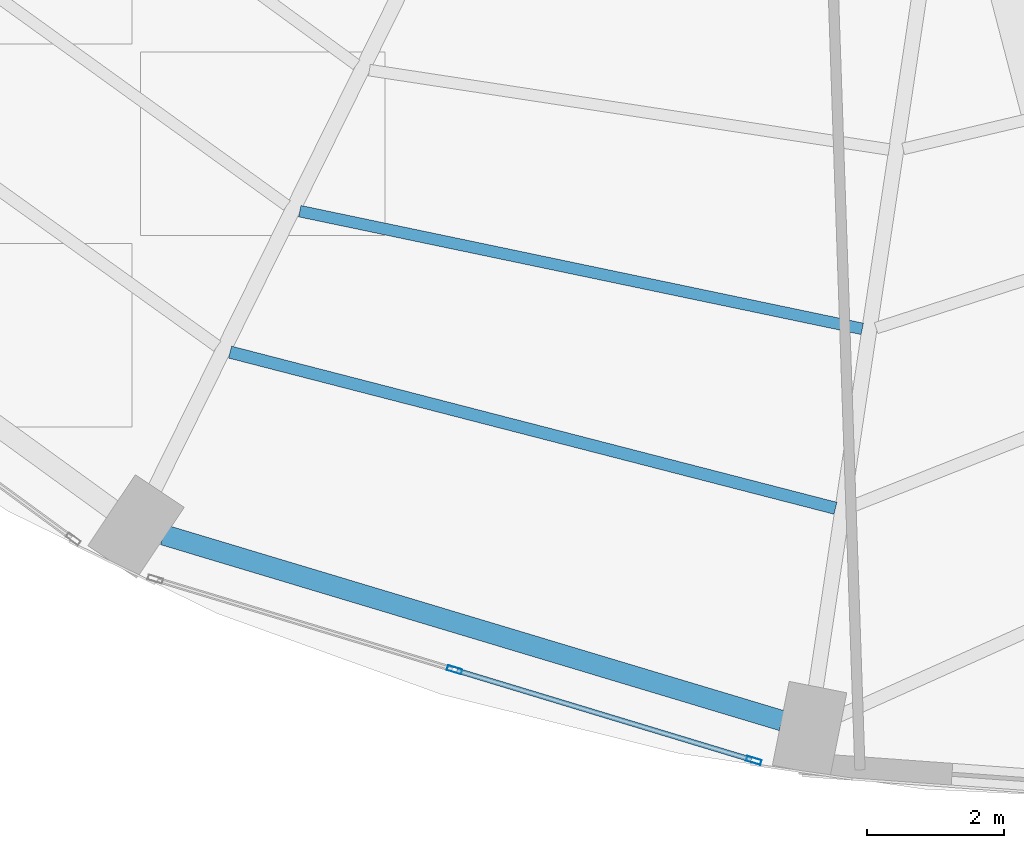
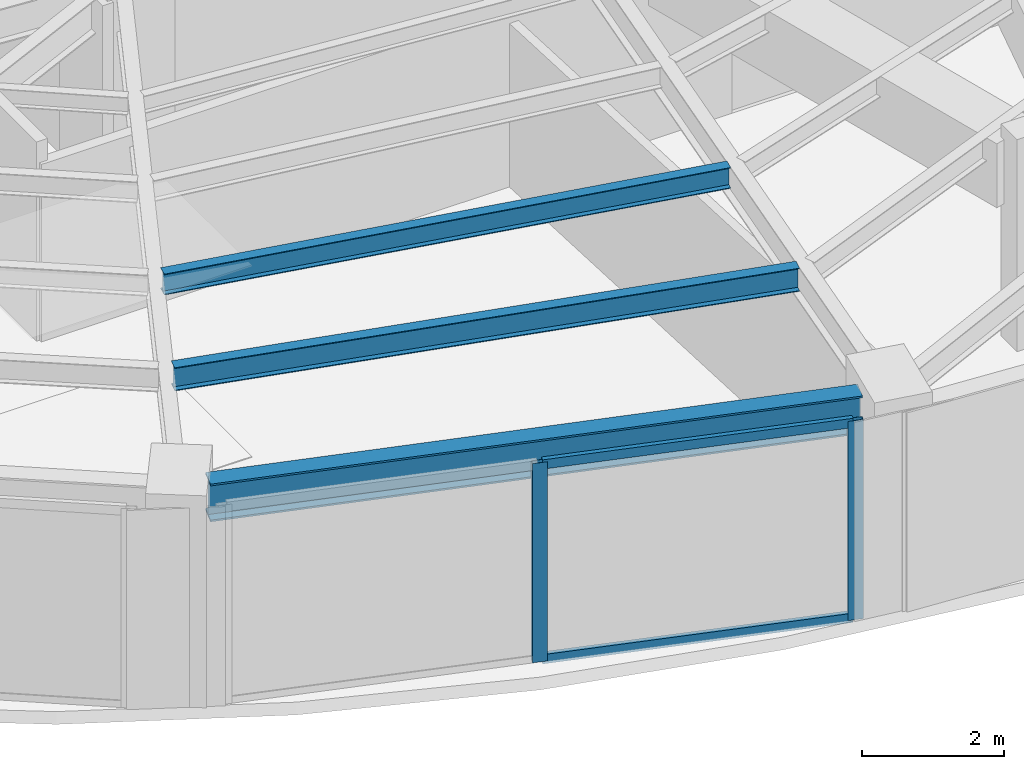
# One storey, part 5 of 24: 4 members, 3 beams, 1 element without a shape of its own.
"""IFC4 building model written with IfcOpenShell, lengths in metres."""

from ifc_helpers import new_model, si_unit, direction, frame, origin, origin_2d, place, context, subcontext, project, spatial, hollow_rectangle, i_section, extrude, material, layer, layer_set, material_profile, profile_set, type_object, element, aggregate, save


model = new_model("IFC4")

# Units and contexts
model_context = context("Model", 3, precision=1e-05, world=origin(), true_north=direction((0.0, 1.0)))
body_context = subcontext(model_context, "Body", "Model", "MODEL_VIEW")
ifc_project = project(units=[si_unit("LENGTHUNIT", "METRE"), si_unit("AREAUNIT", "SQUARE_METRE"), si_unit("VOLUMEUNIT", "CUBIC_METRE"), si_unit("PLANEANGLEUNIT", "RADIAN"), si_unit("MASSUNIT", "GRAM", prefix="KILO")], contexts=[model_context])

# Site, building, storey
site_placement = place(None, origin())
site = spatial("IfcSite", under=ifc_project, at=site_placement, CompositionType="ELEMENT")
building_placement = place(site_placement, origin())
building = spatial("IfcBuilding", under=site, at=building_placement, Name="Lazwardi Medical Tower", CompositionType="ELEMENT")
storey_placement = place(building_placement, frame((0.0, 0.0, 54.384033203125)))
storey = spatial("IfcBuildingStorey", under=building, at=storey_placement, Name="L13", CompositionType="ELEMENT", Elevation=54.384033203125)

# Beams
ifc_material_1 = material(Name="Steel S355", Category="steel")
ifc_material_profile_1 = material_profile(ifc_material_1, i_section(OverallWidth=0.300048828125, OverallDepth=0.64990234375, WebThickness=0.01611328125, FlangeThickness=0.031005859375, at=origin_2d()), Name="HEB 650")
ifc_profile_set_1 = profile_set([ifc_material_profile_1], Name="Steel S355")
beam_type_1 = type_object("IfcBeamType", Name="BM-RB-Z1", PredefinedType="BEAM", material=ifc_profile_set_1)
beam_1_placement = place(storey_placement, frame((21.22119140625, 8.9951171875, 3.10302734375), z_axis=(0.957695289269, -0.287784177662, 0.0), x_axis=(0.287784177662, 0.957695289269, 0.0)))
element("IfcBeam", 1, at=beam_1_placement, inside=storey, type_object=beam_type_1, Name="Ring beam RB-02 B15 L13", PredefinedType="BEAM", context=body_context, shape_type="SweptSolid", body=[
    extrude(i_section(OverallWidth=0.300048828125, OverallDepth=0.64990234375, WebThickness=0.01611328125, FlangeThickness=0.031005859375, at=origin_2d()), origin(), (0.0, 0.0, 1.0), 9.445556640625),
])
ifc_material_profile_2 = material_profile(ifc_material_1, i_section(OverallWidth=0.179931640625, OverallDepth=0.39990234375, WebThickness=0.008544921875, FlangeThickness=0.013427734375, at=origin_2d()), Name="IPE 400")
ifc_profile_set_2 = profile_set([ifc_material_profile_2], Name="Steel S355")
beam_type_2 = type_object("IfcBeamType", Name="BM-SJ-01", PredefinedType="JOIST", material=ifc_profile_set_2)
beam_2_placement = place(storey_placement, frame((22.195068359375, 11.666748046875, 3.22802734375), z_axis=(0.968316918308, -0.249724539682, 0.0), x_axis=(0.249724539682, 0.968316918308, 0.0)))
element("IfcBeam", 2, at=beam_2_placement, inside=storey, type_object=beam_type_2, Name="Secondary joist SJ-01 R1 B15 L13", PredefinedType="JOIST", context=body_context, shape_type="SweptSolid", body=[
    extrude(i_section(OverallWidth=0.179931640625, OverallDepth=0.39990234375, WebThickness=0.008544921875, FlangeThickness=0.013427734375, at=origin_2d()), origin(), (0.0, 0.0, 1.0), 9.140869140625),
])
ifc_material_profile_3 = material_profile(ifc_material_1, i_section(OverallWidth=0.169921875, OverallDepth=0.360107421875, WebThickness=0.008056640625, FlangeThickness=0.0126953125, at=origin_2d()), Name="IPE 360")
ifc_profile_set_3 = profile_set([ifc_material_profile_3], Name="Steel S355")
beam_type_3 = type_object("IfcBeamType", Name="BM-SJ-02", PredefinedType="JOIST", material=ifc_profile_set_3)
beam_3_placement = place(storey_placement, frame((23.213623046875, 13.728271484375, 3.248046875), z_axis=(0.978809182847, -0.204774470026, 0.0), x_axis=(0.204774470026, 0.978809182847, 0.0)))
element("IfcBeam", 3, at=beam_3_placement, inside=storey, type_object=beam_type_3, Name="Secondary joist SJ-02 R2 B15 L13", PredefinedType="JOIST", context=body_context, shape_type="SweptSolid", body=[
    extrude(i_section(OverallWidth=0.169921875, OverallDepth=0.360107421875, WebThickness=0.008056640625, FlangeThickness=0.0126953125, at=origin_2d()), origin(), (0.0, 0.0, 1.0), 8.40283203125),
])

# Curtain wall, members
ifc_material_2 = material(Name="Anodised bronze aluminium and solar control glazing", Category="aluminium")
ifc_layer = layer(ifc_material_2, 0.199951171875)
ifc_layer_set = layer_set([ifc_layer], Name="Anodised bronze aluminium and solar control glazing")
curtain_wall_type = type_object("IfcCurtainWallType", Name="CW-SYS-02", PredefinedType="NOTDEFINED", material=ifc_layer_set)
curtain_wall_placement = place(storey_placement, origin())
curtain_wall = element("IfcCurtainWall", 4, at=curtain_wall_placement, inside=storey, type_object=curtain_wall_type, Name="L13 Unitised bronze curtain wall CW-02", PredefinedType="NOTDEFINED")
ifc_material_3 = material(Name="Anodised bronze aluminium", Category="aluminium")
ifc_material_profile_4 = material_profile(ifc_material_3, hollow_rectangle(XDim=0.074951171875, YDim=0.219970703125, WallThickness=0.00390625, at=origin_2d()), Name="ALU-MULLION 220x75x4")
ifc_profile_set_4 = profile_set([ifc_material_profile_4], Name="Anodised bronze aluminium")
member_type_1 = type_object("IfcMemberType", Name="CW-MUL-01", PredefinedType="MULLION", material=ifc_profile_set_4)
member_1_placement = place(storey_placement, frame((25.476806640625, 7.021484375, 0.0), z_axis=(0.0, 0.0, 1.0), x_axis=(0.2898956909, 0.957058247129, 0.0)))
member_1 = element("IfcMember", 5, at=member_1_placement, type_object=member_type_1, Name="CW-02 mullion 2", PredefinedType="MULLION", context=body_context, shape_type="SweptSolid", body=[
    extrude(hollow_rectangle(XDim=0.074951171875, YDim=0.219970703125, WallThickness=0.00390625, at=origin_2d()), origin(), (0.0, 0.0, 1.0), 3.427978515625),
])
member_2_placement = place(storey_placement, frame((29.85205078125, 5.6962890625, 0.0), z_axis=(0.0, 0.0, 1.0), x_axis=(0.2898956909, 0.957058247129, 0.0)))
member_2 = element("IfcMember", 6, at=member_2_placement, type_object=member_type_1, Name="CW-02 mullion 3", PredefinedType="MULLION", context=body_context, shape_type="SweptSolid", body=[
    extrude(hollow_rectangle(XDim=0.074951171875, YDim=0.219970703125, WallThickness=0.00390625, at=origin_2d()), origin(), (0.0, 0.0, 1.0), 3.427978515625),
])
ifc_material_profile_5 = material_profile(ifc_material_3, hollow_rectangle(XDim=0.074951171875, YDim=0.159912109375, WallThickness=0.00390625, at=origin_2d()), Name="ALU-TRANSOM 160x75x4")
ifc_profile_set_5 = profile_set([ifc_material_profile_5], Name="Anodised bronze aluminium")
member_type_2 = type_object("IfcMemberType", Name="CW-TRN-01", PredefinedType="USERDEFINED", material=ifc_profile_set_5)
member_3_placement = place(storey_placement, frame((25.5126953125, 7.0107421875, 0.037353515625), z_axis=(0.957047233423, -0.28993204893, 0.0), x_axis=(0.28993204893, 0.957047233423, 0.0)))
member_3 = element("IfcMember", 7, at=member_3_placement, type_object=member_type_2, Name="CW-02 transom 2.1", ObjectType="TRANSOM", PredefinedType="USERDEFINED", context=body_context, shape_type="SweptSolid", body=[
    extrude(hollow_rectangle(XDim=0.074951171875, YDim=0.159912109375, WallThickness=0.00390625, at=origin_2d()), origin(), (0.0, 0.0, 1.0), 4.49658203125),
])
member_4_placement = place(storey_placement, frame((25.5126953125, 7.0107421875, 3.390380859375), z_axis=(0.957047233423, -0.28993204893, 0.0), x_axis=(0.28993204893, 0.957047233423, 0.0)))
member_4 = element("IfcMember", 8, at=member_4_placement, type_object=member_type_2, Name="CW-02 transom 2.2", ObjectType="TRANSOM", PredefinedType="USERDEFINED", context=body_context, shape_type="SweptSolid", body=[
    extrude(hollow_rectangle(XDim=0.074951171875, YDim=0.159912109375, WallThickness=0.00390625, at=origin_2d()), origin(), (0.0, 0.0, 1.0), 4.49658203125),
])
aggregate(curtain_wall, [member_1, member_2, member_3, member_4])

save(model, "model.ifc")
